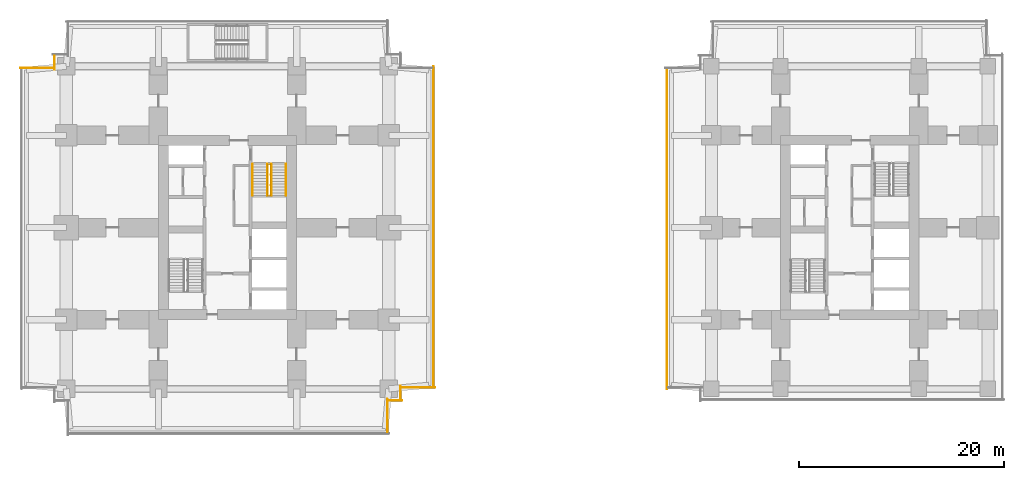
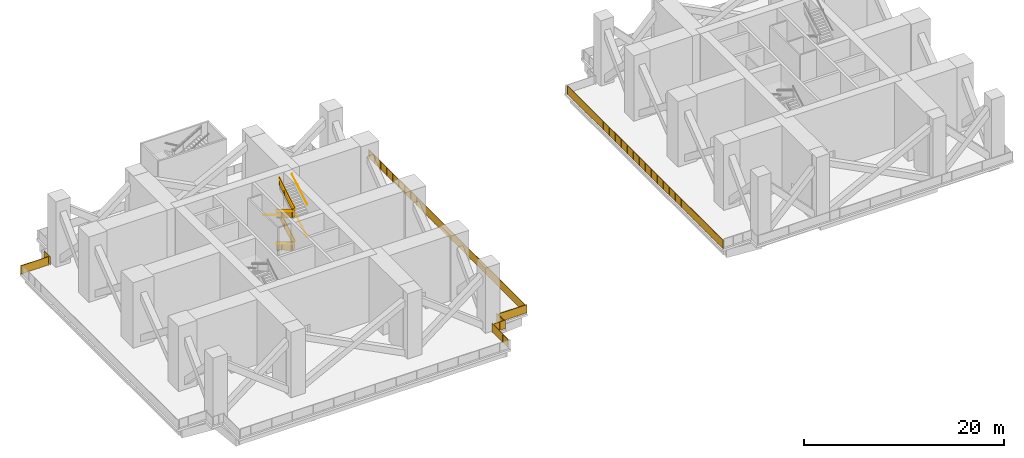
# One storey, part 8 of 11: 16 railings.
"""IFC4 building model written with IfcOpenShell, lengths in metres."""

from ifc_helpers import new_model, si_unit, direction, frame, origin, origin_2d, place, context, subcontext, project, spatial, polyline, circle, outline, extrude, material, type_object, element, save


model = new_model("IFC4")

# Units and contexts
model_context = context("Model", 3, precision=1e-05, world=origin(), true_north=direction((0.0, 1.0)))
body_context = subcontext(model_context, "Body", "Model", "MODEL_VIEW")
ifc_project = project(units=[si_unit("LENGTHUNIT", "METRE"), si_unit("AREAUNIT", "SQUARE_METRE"), si_unit("VOLUMEUNIT", "CUBIC_METRE"), si_unit("PLANEANGLEUNIT", "RADIAN"), si_unit("MASSUNIT", "GRAM", prefix="KILO")], contexts=[model_context])

# Site, building, storey
site_placement = place(None, origin())
site = spatial("IfcSite", under=ifc_project, at=site_placement, CompositionType="ELEMENT")
building_placement = place(site_placement, origin())
building = spatial("IfcBuilding", under=site, at=building_placement, Name="Namib Vertical Campus", CompositionType="ELEMENT")
storey_placement = place(building_placement, frame((0.0, 0.0, 169.0)))
storey = spatial("IfcBuildingStorey", under=building, at=storey_placement, Name="L40", CompositionType="ELEMENT", Elevation=169.0)

# Railings
ifc_material_1 = material(Name="Toughened glass balustrade", Category="glass")
railing_type_1 = type_object("IfcRailingType", Name="Edge guard 1100", PredefinedType="GUARDRAIL", material=ifc_material_1)
railing_1_placement = place(storey_placement, frame((35.85009765625, 0.300048828125, 0.0)))
element("IfcRailing", 1, at=railing_1_placement, inside=storey, type_object=railing_type_1, Name="Refuge edge guard GR2 A L40 2", PredefinedType="GUARDRAIL", context=body_context, shape_type="SweptSolid", body=[
    extrude(circle(Radius=0.02392578125, at=origin_2d()), frame((0.0, 0.0, 1.076171875), z_axis=(0.0, 1.0, 0.0), x_axis=(-1.0, 0.0, 0.0)), (0.0, 0.0, 1.0), 3.199951171875),
    extrude(outline(polyline([(0.02099609375, 0.050048828125), (3.178955078125, 0.050048828125), (3.178955078125, 1.052001953125), (0.02099609375, 1.052001953125), (0.02099609375, 0.050048828125)])), frame((-0.0107421875, 0.0, 0.0), z_axis=(1.0, 0.0, 0.0), x_axis=(0.0, 1.0, 0.0)), (0.0, 0.0, 1.0), 0.021484375),
    extrude(circle(Radius=0.02099609375, at=origin_2d()), origin(), (0.0, 0.0, 1.0), 1.052001953125),
    extrude(circle(Radius=0.02099609375, at=origin_2d()), frame((0.0, 1.066650390625, 0.0)), (0.0, 0.0, 1.0), 1.052001953125),
    extrude(circle(Radius=0.02099609375, at=origin_2d()), frame((0.0, 2.13330078125, 0.0)), (0.0, 0.0, 1.0), 1.052001953125),
    extrude(circle(Radius=0.02099609375, at=origin_2d()), frame((0.0, 3.199951171875, 0.0)), (0.0, 0.0, 1.0), 1.052001953125),
])
railing_2_placement = place(storey_placement, frame((36.0, 3.35009765625, 0.0)))
element("IfcRailing", 2, at=railing_2_placement, inside=storey, type_object=railing_type_1, Name="Refuge edge guard GR2 A L40 3", PredefinedType="GUARDRAIL", context=body_context, shape_type="SweptSolid", body=[
    extrude(circle(Radius=0.02392578125, at=origin_2d()), frame((0.0, 0.0, 1.076171875), z_axis=(1.0, 0.0, 0.0), x_axis=(0.0, 1.0, 0.0)), (0.0, 0.0, 1.0), 1.300048828125),
    extrude(outline(polyline([(0.02099609375, 0.050048828125), (1.279052734375, 0.050048828125), (1.279052734375, 1.052001953125), (0.02099609375, 1.052001953125), (0.02099609375, 0.050048828125)])), frame((0.0, 0.0107421875, 0.0), z_axis=(0.0, -1.0, 0.0), x_axis=(1.0, 0.0, 0.0)), (0.0, 0.0, 1.0), 0.021484375),
    extrude(circle(Radius=0.02099609375, at=origin_2d()), origin(), (0.0, 0.0, 1.0), 1.052001953125),
    extrude(circle(Radius=0.02099609375, at=origin_2d()), frame((0.64990234375, 0.0, 0.0)), (0.0, 0.0, 1.0), 1.052001953125),
    extrude(circle(Radius=0.02099609375, at=origin_2d()), frame((1.300048828125, 0.0, 0.0)), (0.0, 0.0, 1.0), 1.052001953125),
])
railing_3_placement = place(storey_placement, frame((37.14990234375, 3.5, 0.0)))
element("IfcRailing", 3, at=railing_3_placement, inside=storey, type_object=railing_type_1, Name="Refuge edge guard GR2 A L40 4", PredefinedType="GUARDRAIL", context=body_context, shape_type="SweptSolid", body=[
    extrude(circle(Radius=0.02392578125, at=origin_2d()), frame((0.0, 0.0, 1.076171875), z_axis=(0.0, 1.0, 0.0), x_axis=(-1.0, 0.0, 0.0)), (0.0, 0.0, 1.0), 1.300048828125),
    extrude(outline(polyline([(0.02099609375, 0.050048828125), (1.279052734375, 0.050048828125), (1.279052734375, 1.052001953125), (0.02099609375, 1.052001953125), (0.02099609375, 0.050048828125)])), frame((-0.0107421875, 0.0, 0.0), z_axis=(1.0, 0.0, 0.0), x_axis=(0.0, 1.0, 0.0)), (0.0, 0.0, 1.0), 0.021484375),
    extrude(circle(Radius=0.02099609375, at=origin_2d()), origin(), (0.0, 0.0, 1.0), 1.052001953125),
    extrude(circle(Radius=0.02099609375, at=origin_2d()), frame((0.0, 0.64990234375, 0.0)), (0.0, 0.0, 1.0), 1.052001953125),
    extrude(circle(Radius=0.02099609375, at=origin_2d()), frame((0.0, 1.300048828125, 0.0)), (0.0, 0.0, 1.0), 1.052001953125),
])
railing_4_placement = place(storey_placement, frame((37.300048828125, 4.64990234375, 0.0)))
element("IfcRailing", 4, at=railing_4_placement, inside=storey, type_object=railing_type_1, Name="Refuge edge guard GR2 A L40 5", PredefinedType="GUARDRAIL", context=body_context, shape_type="SweptSolid", body=[
    extrude(circle(Radius=0.02392578125, at=origin_2d()), frame((0.0, 0.0, 1.076171875), z_axis=(1.0, 0.0, 0.0), x_axis=(0.0, 1.0, 0.0)), (0.0, 0.0, 1.0), 3.199951171875),
    extrude(outline(polyline([(0.02099609375, 0.050048828125), (3.178955078125, 0.050048828125), (3.178955078125, 1.052001953125), (0.02099609375, 1.052001953125), (0.02099609375, 0.050048828125)])), frame((0.0, 0.0107421875, 0.0), z_axis=(0.0, -1.0, 0.0), x_axis=(1.0, 0.0, 0.0)), (0.0, 0.0, 1.0), 0.021484375),
    extrude(circle(Radius=0.02099609375, at=origin_2d()), origin(), (0.0, 0.0, 1.0), 1.052001953125),
    extrude(circle(Radius=0.02099609375, at=origin_2d()), frame((1.066650390625, 0.0, 0.0)), (0.0, 0.0, 1.0), 1.052001953125),
    extrude(circle(Radius=0.02099609375, at=origin_2d()), frame((2.13330078125, 0.0, 0.0)), (0.0, 0.0, 1.0), 1.052001953125),
    extrude(circle(Radius=0.02099609375, at=origin_2d()), frame((3.199951171875, 0.0, 0.0)), (0.0, 0.0, 1.0), 1.052001953125),
])
railing_5_placement = place(storey_placement, frame((40.35009765625, 4.800048828125, 0.0)))
element("IfcRailing", 5, at=railing_5_placement, inside=storey, type_object=railing_type_1, Name="Refuge edge guard GR2 A L40 6", PredefinedType="GUARDRAIL", context=body_context, shape_type="SweptSolid", body=[
    extrude(circle(Radius=0.02392578125, at=origin_2d()), frame((0.0, 0.0, 1.076171875), z_axis=(0.0, 1.0, 0.0), x_axis=(-1.0, 0.0, 0.0)), (0.0, 0.0, 1.0), 31.199951171875),
    extrude(outline(polyline([(0.02099609375, 0.050048828125), (31.178955078125, 0.050048828125), (31.178955078125, 1.052001953125), (0.02099609375, 1.052001953125), (0.02099609375, 0.050048828125)])), frame((-0.0107421875, 0.0, 0.0), z_axis=(1.0, 0.0, 0.0), x_axis=(0.0, 1.0, 0.0)), (0.0, 0.0, 1.0), 0.021484375),
    extrude(circle(Radius=0.02099609375, at=origin_2d()), origin(), (0.0, 0.0, 1.0), 1.052001953125),
    extrude(circle(Radius=0.02099609375, at=origin_2d()), frame((0.0, 1.199951171875, 0.0)), (0.0, 0.0, 1.0), 1.052001953125),
    extrude(circle(Radius=0.02099609375, at=origin_2d()), frame((0.0, 2.39990234375, 0.0)), (0.0, 0.0, 1.0), 1.052001953125),
    extrude(circle(Radius=0.02099609375, at=origin_2d()), frame((0.0, 3.60009765625, 0.0)), (0.0, 0.0, 1.0), 1.052001953125),
    extrude(circle(Radius=0.02099609375, at=origin_2d()), frame((0.0, 4.800048828125, 0.0)), (0.0, 0.0, 1.0), 1.052001953125),
    extrude(circle(Radius=0.02099609375, at=origin_2d()), frame((0.0, 6.0, 0.0)), (0.0, 0.0, 1.0), 1.052001953125),
    extrude(circle(Radius=0.02099609375, at=origin_2d()), frame((0.0, 7.199951171875, 0.0)), (0.0, 0.0, 1.0), 1.052001953125),
    extrude(circle(Radius=0.02099609375, at=origin_2d()), frame((0.0, 8.39990234375, 0.0)), (0.0, 0.0, 1.0), 1.052001953125),
    extrude(circle(Radius=0.02099609375, at=origin_2d()), frame((0.0, 9.60009765625, 0.0)), (0.0, 0.0, 1.0), 1.052001953125),
    extrude(circle(Radius=0.02099609375, at=origin_2d()), frame((0.0, 10.800048828125, 0.0)), (0.0, 0.0, 1.0), 1.052001953125),
    extrude(circle(Radius=0.02099609375, at=origin_2d()), frame((0.0, 12.0, 0.0)), (0.0, 0.0, 1.0), 1.052001953125),
    extrude(circle(Radius=0.02099609375, at=origin_2d()), frame((0.0, 13.199951171875, 0.0)), (0.0, 0.0, 1.0), 1.052001953125),
    extrude(circle(Radius=0.02099609375, at=origin_2d()), frame((0.0, 14.39990234375, 0.0)), (0.0, 0.0, 1.0), 1.052001953125),
    extrude(circle(Radius=0.02099609375, at=origin_2d()), frame((0.0, 15.60009765625, 0.0)), (0.0, 0.0, 1.0), 1.052001953125),
    extrude(circle(Radius=0.02099609375, at=origin_2d()), frame((0.0, 16.800048828125, 0.0)), (0.0, 0.0, 1.0), 1.052001953125),
    extrude(circle(Radius=0.02099609375, at=origin_2d()), frame((0.0, 18.0, 0.0)), (0.0, 0.0, 1.0), 1.052001953125),
    extrude(circle(Radius=0.02099609375, at=origin_2d()), frame((0.0, 19.199951171875, 0.0)), (0.0, 0.0, 1.0), 1.052001953125),
    extrude(circle(Radius=0.02099609375, at=origin_2d()), frame((0.0, 20.39990234375, 0.0)), (0.0, 0.0, 1.0), 1.052001953125),
    extrude(circle(Radius=0.02099609375, at=origin_2d()), frame((0.0, 21.599853515625, 0.0)), (0.0, 0.0, 1.0), 1.052001953125),
    extrude(circle(Radius=0.02099609375, at=origin_2d()), frame((0.0, 22.800048828125, 0.0)), (0.0, 0.0, 1.0), 1.052001953125),
    extrude(circle(Radius=0.02099609375, at=origin_2d()), frame((0.0, 24.0, 0.0)), (0.0, 0.0, 1.0), 1.052001953125),
    extrude(circle(Radius=0.02099609375, at=origin_2d()), frame((0.0, 25.199951171875, 0.0)), (0.0, 0.0, 1.0), 1.052001953125),
    extrude(circle(Radius=0.02099609375, at=origin_2d()), frame((0.0, 26.39990234375, 0.0)), (0.0, 0.0, 1.0), 1.052001953125),
    extrude(circle(Radius=0.02099609375, at=origin_2d()), frame((0.0, 27.599853515625, 0.0)), (0.0, 0.0, 1.0), 1.052001953125),
    extrude(circle(Radius=0.02099609375, at=origin_2d()), frame((0.0, 28.800048828125, 0.0)), (0.0, 0.0, 1.0), 1.052001953125),
    extrude(circle(Radius=0.02099609375, at=origin_2d()), frame((0.0, 30.0, 0.0)), (0.0, 0.0, 1.0), 1.052001953125),
    extrude(circle(Radius=0.02099609375, at=origin_2d()), frame((0.0, 31.199951171875, 0.0)), (0.0, 0.0, 1.0), 1.052001953125),
])
railing_6_placement = place(storey_placement, frame((3.35009765625, 37.0, 0.0)))
element("IfcRailing", 6, at=railing_6_placement, inside=storey, type_object=railing_type_1, Name="Refuge edge guard GR2 A L40 14", PredefinedType="GUARDRAIL", context=body_context, shape_type="SweptSolid", body=[
    extrude(circle(Radius=0.02392578125, at=origin_2d()), frame((0.0, 0.0, 1.076171875), z_axis=(0.0, -1.0, 0.0), x_axis=(1.0, 0.0, 0.0)), (0.0, 0.0, 1.0), 1.300048828125),
    extrude(outline(polyline([(0.02099609375, 0.050048828125), (1.279052734375, 0.050048828125), (1.279052734375, 1.052001953125), (0.02099609375, 1.052001953125), (0.02099609375, 0.050048828125)])), frame((0.0107421875, 0.0, 0.0), z_axis=(-1.0, 0.0, 0.0), x_axis=(0.0, -1.0, 0.0)), (0.0, 0.0, 1.0), 0.021484375),
    extrude(circle(Radius=0.02099609375, at=origin_2d()), origin(), (0.0, 0.0, 1.0), 1.052001953125),
    extrude(circle(Radius=0.02099609375, at=origin_2d()), frame((0.0, -0.64990234375, 0.0)), (0.0, 0.0, 1.0), 1.052001953125),
    extrude(circle(Radius=0.02099609375, at=origin_2d()), frame((0.0, -1.300048828125, 0.0)), (0.0, 0.0, 1.0), 1.052001953125),
])
railing_7_placement = place(storey_placement, frame((3.199951171875, 35.85009765625, 0.0)))
element("IfcRailing", 7, at=railing_7_placement, inside=storey, type_object=railing_type_1, Name="Refuge edge guard GR2 A L40 15", PredefinedType="GUARDRAIL", context=body_context, shape_type="SweptSolid", body=[
    extrude(circle(Radius=0.02392578125, at=origin_2d()), frame((0.0, 0.0, 1.076171875), z_axis=(-1.0, 0.0, 0.0), x_axis=(0.0, -1.0, 0.0)), (0.0, 0.0, 1.0), 3.199951171875),
    extrude(outline(polyline([(0.02099609375, 0.050048828125), (3.178955078125, 0.050048828125), (3.178955078125, 1.052001953125), (0.02099609375, 1.052001953125), (0.02099609375, 0.050048828125)])), frame((0.0, -0.0107421875, 0.0), z_axis=(0.0, 1.0, 0.0), x_axis=(-1.0, 0.0, 0.0)), (0.0, 0.0, 1.0), 0.021484375),
    extrude(circle(Radius=0.02099609375, at=origin_2d()), origin(), (0.0, 0.0, 1.0), 1.052001953125),
    extrude(circle(Radius=0.02099609375, at=origin_2d()), frame((-1.066650390625, 0.0, 0.0)), (0.0, 0.0, 1.0), 1.052001953125),
    extrude(circle(Radius=0.02099609375, at=origin_2d()), frame((-2.13330078125, 0.0, 0.0)), (0.0, 0.0, 1.0), 1.052001953125),
    extrude(circle(Radius=0.02099609375, at=origin_2d()), frame((-3.199951171875, 0.0, 0.0)), (0.0, 0.0, 1.0), 1.052001953125),
])
railing_8_placement = place(storey_placement, frame((63.14990234375, 35.699951171875, 0.0)))
element("IfcRailing", 8, at=railing_8_placement, inside=storey, type_object=railing_type_1, Name="Refuge edge guard GR2 B L40 12", PredefinedType="GUARDRAIL", context=body_context, shape_type="SweptSolid", body=[
    extrude(circle(Radius=0.02392578125, at=origin_2d()), frame((0.0, 0.0, 1.076171875), z_axis=(0.0, -1.0, 0.0), x_axis=(1.0, 0.0, 0.0)), (0.0, 0.0, 1.0), 31.199951171875),
    extrude(outline(polyline([(0.02099609375, 0.050048828125), (31.178955078125, 0.050048828125), (31.178955078125, 1.052001953125), (0.02099609375, 1.052001953125), (0.02099609375, 0.050048828125)])), frame((0.0107421875, 0.0, 0.0), z_axis=(-1.0, 0.0, 0.0), x_axis=(0.0, -1.0, 0.0)), (0.0, 0.0, 1.0), 0.021484375),
    extrude(circle(Radius=0.02099609375, at=origin_2d()), origin(), (0.0, 0.0, 1.0), 1.052001953125),
    extrude(circle(Radius=0.02099609375, at=origin_2d()), frame((0.0, -1.199951171875, 0.0)), (0.0, 0.0, 1.0), 1.052001953125),
    extrude(circle(Radius=0.02099609375, at=origin_2d()), frame((0.0, -2.39990234375, 0.0)), (0.0, 0.0, 1.0), 1.052001953125),
    extrude(circle(Radius=0.02099609375, at=origin_2d()), frame((0.0, -3.60009765625, 0.0)), (0.0, 0.0, 1.0), 1.052001953125),
    extrude(circle(Radius=0.02099609375, at=origin_2d()), frame((0.0, -4.800048828125, 0.0)), (0.0, 0.0, 1.0), 1.052001953125),
    extrude(circle(Radius=0.02099609375, at=origin_2d()), frame((0.0, -6.0, 0.0)), (0.0, 0.0, 1.0), 1.052001953125),
    extrude(circle(Radius=0.02099609375, at=origin_2d()), frame((0.0, -7.199951171875, 0.0)), (0.0, 0.0, 1.0), 1.052001953125),
    extrude(circle(Radius=0.02099609375, at=origin_2d()), frame((0.0, -8.39990234375, 0.0)), (0.0, 0.0, 1.0), 1.052001953125),
    extrude(circle(Radius=0.02099609375, at=origin_2d()), frame((0.0, -9.60009765625, 0.0)), (0.0, 0.0, 1.0), 1.052001953125),
    extrude(circle(Radius=0.02099609375, at=origin_2d()), frame((0.0, -10.800048828125, 0.0)), (0.0, 0.0, 1.0), 1.052001953125),
    extrude(circle(Radius=0.02099609375, at=origin_2d()), frame((0.0, -12.0, 0.0)), (0.0, 0.0, 1.0), 1.052001953125),
    extrude(circle(Radius=0.02099609375, at=origin_2d()), frame((0.0, -13.199951171875, 0.0)), (0.0, 0.0, 1.0), 1.052001953125),
    extrude(circle(Radius=0.02099609375, at=origin_2d()), frame((0.0, -14.39990234375, 0.0)), (0.0, 0.0, 1.0), 1.052001953125),
    extrude(circle(Radius=0.02099609375, at=origin_2d()), frame((0.0, -15.60009765625, 0.0)), (0.0, 0.0, 1.0), 1.052001953125),
    extrude(circle(Radius=0.02099609375, at=origin_2d()), frame((0.0, -16.800048828125, 0.0)), (0.0, 0.0, 1.0), 1.052001953125),
    extrude(circle(Radius=0.02099609375, at=origin_2d()), frame((0.0, -18.0, 0.0)), (0.0, 0.0, 1.0), 1.052001953125),
    extrude(circle(Radius=0.02099609375, at=origin_2d()), frame((0.0, -19.199951171875, 0.0)), (0.0, 0.0, 1.0), 1.052001953125),
    extrude(circle(Radius=0.02099609375, at=origin_2d()), frame((0.0, -20.39990234375, 0.0)), (0.0, 0.0, 1.0), 1.052001953125),
    extrude(circle(Radius=0.02099609375, at=origin_2d()), frame((0.0, -21.599853515625, 0.0)), (0.0, 0.0, 1.0), 1.052001953125),
    extrude(circle(Radius=0.02099609375, at=origin_2d()), frame((0.0, -22.800048828125, 0.0)), (0.0, 0.0, 1.0), 1.052001953125),
    extrude(circle(Radius=0.02099609375, at=origin_2d()), frame((0.0, -24.0, 0.0)), (0.0, 0.0, 1.0), 1.052001953125),
    extrude(circle(Radius=0.02099609375, at=origin_2d()), frame((0.0, -25.199951171875, 0.0)), (0.0, 0.0, 1.0), 1.052001953125),
    extrude(circle(Radius=0.02099609375, at=origin_2d()), frame((0.0, -26.39990234375, 0.0)), (0.0, 0.0, 1.0), 1.052001953125),
    extrude(circle(Radius=0.02099609375, at=origin_2d()), frame((0.0, -27.599853515625, 0.0)), (0.0, 0.0, 1.0), 1.052001953125),
    extrude(circle(Radius=0.02099609375, at=origin_2d()), frame((0.0, -28.800048828125, 0.0)), (0.0, 0.0, 1.0), 1.052001953125),
    extrude(circle(Radius=0.02099609375, at=origin_2d()), frame((0.0, -30.0, 0.0)), (0.0, 0.0, 1.0), 1.052001953125),
    extrude(circle(Radius=0.02099609375, at=origin_2d()), frame((0.0, -31.199951171875, 0.0)), (0.0, 0.0, 1.0), 1.052001953125),
])
ifc_material_2 = material(Name="Steel handrail", Category="steel")
railing_type_2 = type_object("IfcRailingType", Name="Handrail 900", PredefinedType="HANDRAIL", material=ifc_material_2)
railing_9_placement = place(storey_placement, frame((25.949951171875, 23.3701171875, 2.166748046875)))
element("IfcRailing", 9, at=railing_9_placement, inside=storey, type_object=railing_type_2, Name="Handrail HR1 A-S2 L40 2", PredefinedType="HANDRAIL", context=body_context, shape_type="SweptSolid", body=[
    extrude(circle(Radius=0.02392578125, at=origin_2d()), frame((0.0, 0.0, 0.8759765625), z_axis=(0.0, 0.859290745958, 0.51148745235), x_axis=(-1.0, 0.0, 0.0)), (0.0, 0.0, 1.0), 3.584228515625),
    extrude(circle(Radius=0.008056640625, at=origin_2d()), frame((0.0, 0.0, 0.8759765625), z_axis=(1.0, 0.0, 0.0), x_axis=(0.0, 0.0, 1.0)), (0.0, 0.0, 1.0), 0.050048828125),
    extrude(circle(Radius=0.008056640625, at=origin_2d()), frame((0.0, 1.026611328125, 1.48681640625), z_axis=(1.0, 0.0, 0.0), x_axis=(0.0, 0.0, 1.0)), (0.0, 0.0, 1.0), 0.050048828125),
    extrude(circle(Radius=0.008056640625, at=origin_2d()), frame((0.0, 2.05322265625, 2.09814453125), z_axis=(1.0, 0.0, 0.0), x_axis=(0.0, 0.0, 1.0)), (0.0, 0.0, 1.0), 0.050048828125),
    extrude(circle(Radius=0.008056640625, at=origin_2d()), frame((0.0, 3.079833984375, 2.708984375), z_axis=(1.0, 0.0, 0.0), x_axis=(0.0, 0.0, 1.0)), (0.0, 0.0, 1.0), 0.050048828125),
])
railing_10_placement = place(storey_placement, frame((22.699951171875, 26.449951171875, 4.166748046875)))
element("IfcRailing", 10, at=railing_10_placement, inside=storey, type_object=railing_type_2, Name="Handrail HR1 A-S2 L40 3", PredefinedType="HANDRAIL", context=body_context, shape_type="SweptSolid", body=[
    extrude(circle(Radius=0.02392578125, at=origin_2d()), frame((0.0, 0.0, 0.8759765625), z_axis=(0.0, -0.859290745958, 0.51148745235), x_axis=(1.0, 0.0, 0.0)), (0.0, 0.0, 1.0), 3.584228515625),
    extrude(circle(Radius=0.008056640625, at=origin_2d()), frame((0.0, 0.0, 0.8759765625), z_axis=(-1.0, 0.0, 0.0), x_axis=(0.0, 0.0, 1.0)), (0.0, 0.0, 1.0), 0.050048828125),
    extrude(circle(Radius=0.008056640625, at=origin_2d()), frame((0.0, -1.026611328125, 1.48681640625), z_axis=(-1.0, 0.0, 0.0), x_axis=(0.0, 0.0, 1.0)), (0.0, 0.0, 1.0), 0.050048828125),
    extrude(circle(Radius=0.008056640625, at=origin_2d()), frame((0.0, -2.05322265625, 2.09814453125), z_axis=(-1.0, 0.0, 0.0), x_axis=(0.0, 0.0, 1.0)), (0.0, 0.0, 1.0), 0.050048828125),
    extrude(circle(Radius=0.008056640625, at=origin_2d()), frame((0.0, -3.079833984375, 2.708984375), z_axis=(-1.0, 0.0, 0.0), x_axis=(0.0, 0.0, 1.0)), (0.0, 0.0, 1.0), 0.050048828125),
])
railing_11_placement = place(storey_placement, frame((25.949951171875, 23.3701171875, 6.166748046875)))
element("IfcRailing", 11, at=railing_11_placement, inside=storey, type_object=railing_type_2, Name="Handrail HR1 A-S2 L40 4", PredefinedType="HANDRAIL", context=body_context, shape_type="SweptSolid", body=[
    extrude(circle(Radius=0.02392578125, at=origin_2d()), frame((0.0, 0.0, 0.8759765625), z_axis=(0.0, 0.859290745958, 0.51148745235), x_axis=(-1.0, 0.0, 0.0)), (0.0, 0.0, 1.0), 3.584228515625),
    extrude(circle(Radius=0.008056640625, at=origin_2d()), frame((0.0, 0.0, 0.8759765625), z_axis=(1.0, 0.0, 0.0), x_axis=(0.0, 0.0, 1.0)), (0.0, 0.0, 1.0), 0.050048828125),
    extrude(circle(Radius=0.008056640625, at=origin_2d()), frame((0.0, 1.026611328125, 1.48681640625), z_axis=(1.0, 0.0, 0.0), x_axis=(0.0, 0.0, 1.0)), (0.0, 0.0, 1.0), 0.050048828125),
    extrude(circle(Radius=0.008056640625, at=origin_2d()), frame((0.0, 2.05322265625, 2.09814453125), z_axis=(1.0, 0.0, 0.0), x_axis=(0.0, 0.0, 1.0)), (0.0, 0.0, 1.0), 0.050048828125),
    extrude(circle(Radius=0.008056640625, at=origin_2d()), frame((0.0, 3.079833984375, 2.708984375), z_axis=(1.0, 0.0, 0.0), x_axis=(0.0, 0.0, 1.0)), (0.0, 0.0, 1.0), 0.050048828125),
])
railing_12_placement = place(storey_placement, frame((24.125, 26.449951171875, 0.166748046875)))
element("IfcRailing", 12, at=railing_12_placement, inside=storey, type_object=railing_type_2, Name="Handrail HR1 A-S2 L40 1 at the well", PredefinedType="HANDRAIL", context=body_context, shape_type="SweptSolid", body=[
    extrude(circle(Radius=0.02392578125, at=origin_2d()), frame((0.0, 0.0, 0.8759765625), z_axis=(0.0, -0.859290745958, 0.51148745235), x_axis=(1.0, 0.0, 0.0)), (0.0, 0.0, 1.0), 3.584228515625),
    extrude(circle(Radius=0.008056640625, at=origin_2d()), frame((0.0, 0.0, 0.8759765625), z_axis=(1.0, 0.0, 0.0), x_axis=(0.0, 0.0, 1.0)), (0.0, 0.0, 1.0), 0.0400390625),
    extrude(circle(Radius=0.008056640625, at=origin_2d()), frame((0.0, -1.026611328125, 1.48681640625), z_axis=(1.0, 0.0, 0.0), x_axis=(0.0, 0.0, 1.0)), (0.0, 0.0, 1.0), 0.0400390625),
    extrude(circle(Radius=0.008056640625, at=origin_2d()), frame((0.0, -2.05322265625, 2.09814453125), z_axis=(1.0, 0.0, 0.0), x_axis=(0.0, 0.0, 1.0)), (0.0, 0.0, 1.0), 0.0400390625),
    extrude(circle(Radius=0.008056640625, at=origin_2d()), frame((0.0, -3.079833984375, 2.708984375), z_axis=(1.0, 0.0, 0.0), x_axis=(0.0, 0.0, 1.0)), (0.0, 0.0, 1.0), 0.0400390625),
])
railing_13_placement = place(storey_placement, frame((24.52490234375, 23.3701171875, 2.166748046875)))
element("IfcRailing", 13, at=railing_13_placement, inside=storey, type_object=railing_type_2, Name="Handrail HR1 A-S2 L40 2 at the well", PredefinedType="HANDRAIL", context=body_context, shape_type="SweptSolid", body=[
    extrude(circle(Radius=0.02392578125, at=origin_2d()), frame((0.0, 0.0, 0.8759765625), z_axis=(0.0, 0.859290745958, 0.51148745235), x_axis=(-1.0, 0.0, 0.0)), (0.0, 0.0, 1.0), 3.584228515625),
    extrude(circle(Radius=0.008056640625, at=origin_2d()), frame((0.0, 0.0, 0.8759765625), z_axis=(-1.0, 0.0, 0.0), x_axis=(0.0, 0.0, 1.0)), (0.0, 0.0, 1.0), 0.0400390625),
    extrude(circle(Radius=0.008056640625, at=origin_2d()), frame((0.0, 1.026611328125, 1.48681640625), z_axis=(-1.0, 0.0, 0.0), x_axis=(0.0, 0.0, 1.0)), (0.0, 0.0, 1.0), 0.0400390625),
    extrude(circle(Radius=0.008056640625, at=origin_2d()), frame((0.0, 2.05322265625, 2.09814453125), z_axis=(-1.0, 0.0, 0.0), x_axis=(0.0, 0.0, 1.0)), (0.0, 0.0, 1.0), 0.0400390625),
    extrude(circle(Radius=0.008056640625, at=origin_2d()), frame((0.0, 3.079833984375, 2.708984375), z_axis=(-1.0, 0.0, 0.0), x_axis=(0.0, 0.0, 1.0)), (0.0, 0.0, 1.0), 0.0400390625),
])
railing_14_placement = place(storey_placement, frame((24.125, 26.449951171875, 4.166748046875)))
element("IfcRailing", 14, at=railing_14_placement, inside=storey, type_object=railing_type_2, Name="Handrail HR1 A-S2 L40 3 at the well", PredefinedType="HANDRAIL", context=body_context, shape_type="SweptSolid", body=[
    extrude(circle(Radius=0.02392578125, at=origin_2d()), frame((0.0, 0.0, 0.8759765625), z_axis=(0.0, -0.859290745958, 0.51148745235), x_axis=(1.0, 0.0, 0.0)), (0.0, 0.0, 1.0), 3.584228515625),
    extrude(circle(Radius=0.008056640625, at=origin_2d()), frame((0.0, 0.0, 0.8759765625), z_axis=(1.0, 0.0, 0.0), x_axis=(0.0, 0.0, 1.0)), (0.0, 0.0, 1.0), 0.0400390625),
    extrude(circle(Radius=0.008056640625, at=origin_2d()), frame((0.0, -1.026611328125, 1.48681640625), z_axis=(1.0, 0.0, 0.0), x_axis=(0.0, 0.0, 1.0)), (0.0, 0.0, 1.0), 0.0400390625),
    extrude(circle(Radius=0.008056640625, at=origin_2d()), frame((0.0, -2.05322265625, 2.09814453125), z_axis=(1.0, 0.0, 0.0), x_axis=(0.0, 0.0, 1.0)), (0.0, 0.0, 1.0), 0.0400390625),
    extrude(circle(Radius=0.008056640625, at=origin_2d()), frame((0.0, -3.079833984375, 2.708984375), z_axis=(1.0, 0.0, 0.0), x_axis=(0.0, 0.0, 1.0)), (0.0, 0.0, 1.0), 0.0400390625),
])
railing_15_placement = place(storey_placement, frame((24.52490234375, 23.3701171875, 6.166748046875)))
element("IfcRailing", 15, at=railing_15_placement, inside=storey, type_object=railing_type_2, Name="Handrail HR1 A-S2 L40 4 at the well", PredefinedType="HANDRAIL", context=body_context, shape_type="SweptSolid", body=[
    extrude(circle(Radius=0.02392578125, at=origin_2d()), frame((0.0, 0.0, 0.8759765625), z_axis=(0.0, 0.859290745958, 0.51148745235), x_axis=(-1.0, 0.0, 0.0)), (0.0, 0.0, 1.0), 3.584228515625),
    extrude(circle(Radius=0.008056640625, at=origin_2d()), frame((0.0, 0.0, 0.8759765625), z_axis=(-1.0, 0.0, 0.0), x_axis=(0.0, 0.0, 1.0)), (0.0, 0.0, 1.0), 0.0400390625),
    extrude(circle(Radius=0.008056640625, at=origin_2d()), frame((0.0, 1.026611328125, 1.48681640625), z_axis=(-1.0, 0.0, 0.0), x_axis=(0.0, 0.0, 1.0)), (0.0, 0.0, 1.0), 0.0400390625),
    extrude(circle(Radius=0.008056640625, at=origin_2d()), frame((0.0, 2.05322265625, 2.09814453125), z_axis=(-1.0, 0.0, 0.0), x_axis=(0.0, 0.0, 1.0)), (0.0, 0.0, 1.0), 0.0400390625),
    extrude(circle(Radius=0.008056640625, at=origin_2d()), frame((0.0, 3.079833984375, 2.708984375), z_axis=(-1.0, 0.0, 0.0), x_axis=(0.0, 0.0, 1.0)), (0.0, 0.0, 1.0), 0.0400390625),
])
ifc_material_3 = material(Name="Steel balustrade", Category="steel")
railing_type_3 = type_object("IfcRailingType", Name="Stair guard 1100", PredefinedType="GUARDRAIL", material=ifc_material_3)
railing_16_placement = place(storey_placement, frame((24.47509765625, 26.449951171875, 0.0)))
element("IfcRailing", 16, at=railing_16_placement, inside=storey, type_object=railing_type_3, Name="Stair guard GR1 A-S2 L40", PredefinedType="GUARDRAIL", context=body_context, shape_type="SweptSolid", body=[
    extrude(circle(Radius=0.02392578125, at=origin_2d()), frame((0.0, 0.0, 1.076171875), z_axis=(-1.0, 0.0, 0.0), x_axis=(0.0, -1.0, 0.0)), (0.0, 0.0, 1.0), 0.300048828125),
    extrude(outline(polyline([(0.02099609375, 0.050048828125), (0.279052734375, 0.050048828125), (0.279052734375, 1.052001953125), (0.02099609375, 1.052001953125), (0.02099609375, 0.050048828125)])), frame((0.0, -0.010009765625, 0.0), z_axis=(0.0, 1.0, 0.0), x_axis=(-1.0, 0.0, 0.0)), (0.0, 0.0, 1.0), 0.02001953125),
    extrude(circle(Radius=0.02392578125, at=origin_2d()), frame((-0.300048828125, 0.0, 1.076171875), z_axis=(0.0, 0.0, 1.0), x_axis=(1.0, 0.0, 0.0)), (0.0, 0.0, 1.0), 0.166748046875),
    extrude(circle(Radius=0.02392578125, at=origin_2d()), frame((-0.300048828125, 0.0, 1.24267578125), z_axis=(0.0, -0.859290745958, 0.51148745235), x_axis=(1.0, 0.0, 0.0)), (0.0, 0.0, 1.0), 3.584228515625),
    extrude(outline(polyline([(0.02099609375, 0.0625), (3.058837890625, 1.870849609375), (3.058837890625, 2.872802734375), (0.02099609375, 1.064453125), (0.02099609375, 0.0625)])), frame((-0.2900390625, 0.0, 0.166748046875), z_axis=(-1.0, 0.0, 0.0), x_axis=(0.0, -1.0, 0.0)), (0.0, 0.0, 1.0), 0.02001953125),
    extrude(circle(Radius=0.02392578125, at=origin_2d()), frame((-0.300048828125, -3.079833984375, 3.076171875), z_axis=(1.0, 0.0, 0.0), x_axis=(0.0, 1.0, 0.0)), (0.0, 0.0, 1.0), 0.300048828125),
    extrude(outline(polyline([(0.02099609375, 0.050048828125), (0.279052734375, 0.050048828125), (0.279052734375, 1.052001953125), (0.02099609375, 1.052001953125), (0.02099609375, 0.050048828125)])), frame((-0.300048828125, -3.06982421875, 2.0), z_axis=(0.0, -1.0, 0.0), x_axis=(1.0, 0.0, 0.0)), (0.0, 0.0, 1.0), 0.02001953125),
    extrude(circle(Radius=0.02392578125, at=origin_2d()), frame((0.0, -3.079833984375, 3.076171875), z_axis=(0.0, 0.0, 1.0), x_axis=(1.0, 0.0, 0.0)), (0.0, 0.0, 1.0), 0.166748046875),
    extrude(circle(Radius=0.02392578125, at=origin_2d()), frame((0.0, -3.079833984375, 3.24267578125), z_axis=(0.0, 0.859290745958, 0.51148745235), x_axis=(-1.0, 0.0, 0.0)), (0.0, 0.0, 1.0), 3.584228515625),
    extrude(outline(polyline([(0.02099609375, 0.0625), (3.058837890625, 1.870849609375), (3.058837890625, 2.872802734375), (0.02099609375, 1.064453125), (0.02099609375, 0.0625)])), frame((-0.010009765625, -3.079833984375, 2.166748046875), z_axis=(1.0, 0.0, 0.0), x_axis=(0.0, 1.0, 0.0)), (0.0, 0.0, 1.0), 0.02001953125),
    extrude(circle(Radius=0.02392578125, at=origin_2d()), frame((0.0, 0.0, 5.076171875), z_axis=(-1.0, 0.0, 0.0), x_axis=(0.0, -1.0, 0.0)), (0.0, 0.0, 1.0), 0.300048828125),
    extrude(outline(polyline([(0.02099609375, 0.050048828125), (0.279052734375, 0.050048828125), (0.279052734375, 1.052001953125), (0.02099609375, 1.052001953125), (0.02099609375, 0.050048828125)])), frame((0.0, -0.010009765625, 4.0), z_axis=(0.0, 1.0, 0.0), x_axis=(-1.0, 0.0, 0.0)), (0.0, 0.0, 1.0), 0.02001953125),
    extrude(circle(Radius=0.02392578125, at=origin_2d()), frame((-0.300048828125, 0.0, 5.076171875), z_axis=(0.0, 0.0, 1.0), x_axis=(1.0, 0.0, 0.0)), (0.0, 0.0, 1.0), 0.166748046875),
    extrude(circle(Radius=0.02392578125, at=origin_2d()), frame((-0.300048828125, 0.0, 5.24267578125), z_axis=(0.0, -0.859290745958, 0.51148745235), x_axis=(1.0, 0.0, 0.0)), (0.0, 0.0, 1.0), 3.584228515625),
    extrude(outline(polyline([(0.02099609375, 0.0625), (3.058837890625, 1.870849609375), (3.058837890625, 2.872802734375), (0.02099609375, 1.064453125), (0.02099609375, 0.0625)])), frame((-0.2900390625, 0.0, 4.166748046875), z_axis=(-1.0, 0.0, 0.0), x_axis=(0.0, -1.0, 0.0)), (0.0, 0.0, 1.0), 0.02001953125),
    extrude(circle(Radius=0.02392578125, at=origin_2d()), frame((-0.300048828125, -3.079833984375, 7.076171875), z_axis=(1.0, 0.0, 0.0), x_axis=(0.0, 1.0, 0.0)), (0.0, 0.0, 1.0), 0.300048828125),
    extrude(outline(polyline([(0.02099609375, 0.050048828125), (0.279052734375, 0.050048828125), (0.279052734375, 1.052001953125), (0.02099609375, 1.052001953125), (0.02099609375, 0.050048828125)])), frame((-0.300048828125, -3.06982421875, 6.0), z_axis=(0.0, -1.0, 0.0), x_axis=(1.0, 0.0, 0.0)), (0.0, 0.0, 1.0), 0.02001953125),
    extrude(circle(Radius=0.02392578125, at=origin_2d()), frame((0.0, -3.079833984375, 7.076171875), z_axis=(0.0, 0.0, 1.0), x_axis=(1.0, 0.0, 0.0)), (0.0, 0.0, 1.0), 0.166748046875),
    extrude(circle(Radius=0.02392578125, at=origin_2d()), frame((0.0, -3.079833984375, 7.24267578125), z_axis=(0.0, 0.859290745958, 0.51148745235), x_axis=(-1.0, 0.0, 0.0)), (0.0, 0.0, 1.0), 3.584228515625),
    extrude(outline(polyline([(0.02099609375, 0.0625), (3.058837890625, 1.870849609375), (3.058837890625, 2.872802734375), (0.02099609375, 1.064453125), (0.02099609375, 0.0625)])), frame((-0.010009765625, -3.079833984375, 6.166748046875), z_axis=(1.0, 0.0, 0.0), x_axis=(0.0, 1.0, 0.0)), (0.0, 0.0, 1.0), 0.02001953125),
    extrude(circle(Radius=0.02392578125, at=origin_2d()), frame((0.0, 0.0, 9.076171875), z_axis=(0.0, 1.0, 0.0), x_axis=(-1.0, 0.0, 0.0)), (0.0, 0.0, 1.0), 0.050048828125),
    extrude(outline(polyline([(0.02099609375, 0.050048828125), (0.029052734375, 0.050048828125), (0.029052734375, 1.052001953125), (0.02099609375, 1.052001953125), (0.02099609375, 0.050048828125)])), frame((-0.010009765625, 0.0, 8.0), z_axis=(1.0, 0.0, 0.0), x_axis=(0.0, 1.0, 0.0)), (0.0, 0.0, 1.0), 0.02001953125),
    extrude(circle(Radius=0.02099609375, at=origin_2d()), origin(), (0.0, 0.0, 1.0), 1.052001953125),
    extrude(circle(Radius=0.02099609375, at=origin_2d()), frame((-0.300048828125, 0.0, 0.166748046875)), (0.0, 0.0, 1.0), 1.052001953125),
    extrude(circle(Radius=0.02099609375, at=origin_2d()), frame((-0.300048828125, -1.026611328125, 0.666748046875)), (0.0, 0.0, 1.0), 1.1630859375),
    extrude(circle(Radius=0.02099609375, at=origin_2d()), frame((-0.300048828125, -2.05322265625, 1.33349609375)), (0.0, 0.0, 1.0), 1.107421875),
    extrude(circle(Radius=0.02099609375, at=origin_2d()), frame((-0.300048828125, -3.079833984375, 2.0)), (0.0, 0.0, 1.0), 1.052001953125),
    extrude(circle(Radius=0.02099609375, at=origin_2d()), frame((0.0, -3.079833984375, 2.166748046875)), (0.0, 0.0, 1.0), 1.052001953125),
    extrude(circle(Radius=0.02099609375, at=origin_2d()), frame((0.0, -2.05322265625, 2.666748046875)), (0.0, 0.0, 1.0), 1.1630859375),
    extrude(circle(Radius=0.02099609375, at=origin_2d()), frame((0.0, -1.026611328125, 3.33349609375)), (0.0, 0.0, 1.0), 1.107421875),
    extrude(circle(Radius=0.02099609375, at=origin_2d()), frame((0.0, 0.0, 4.0)), (0.0, 0.0, 1.0), 1.052001953125),
    extrude(circle(Radius=0.02099609375, at=origin_2d()), frame((-0.300048828125, 0.0, 4.166748046875)), (0.0, 0.0, 1.0), 1.052001953125),
    extrude(circle(Radius=0.02099609375, at=origin_2d()), frame((-0.300048828125, -1.026611328125, 4.666748046875)), (0.0, 0.0, 1.0), 1.1630859375),
    extrude(circle(Radius=0.02099609375, at=origin_2d()), frame((-0.300048828125, -2.05322265625, 5.33349609375)), (0.0, 0.0, 1.0), 1.107421875),
    extrude(circle(Radius=0.02099609375, at=origin_2d()), frame((-0.300048828125, -3.079833984375, 6.0)), (0.0, 0.0, 1.0), 1.052001953125),
    extrude(circle(Radius=0.02099609375, at=origin_2d()), frame((0.0, -3.079833984375, 6.166748046875)), (0.0, 0.0, 1.0), 1.052001953125),
    extrude(circle(Radius=0.02099609375, at=origin_2d()), frame((0.0, -2.05322265625, 6.666748046875)), (0.0, 0.0, 1.0), 1.1630859375),
    extrude(circle(Radius=0.02099609375, at=origin_2d()), frame((0.0, -1.026611328125, 7.33349609375)), (0.0, 0.0, 1.0), 1.107421875),
    extrude(circle(Radius=0.02099609375, at=origin_2d()), frame((0.0, 0.0, 8.0)), (0.0, 0.0, 1.0), 1.052001953125),
    extrude(circle(Radius=0.02099609375, at=origin_2d()), frame((0.0, 0.050048828125, 8.0)), (0.0, 0.0, 1.0), 1.052001953125),
])

save(model, "model.ifc")
